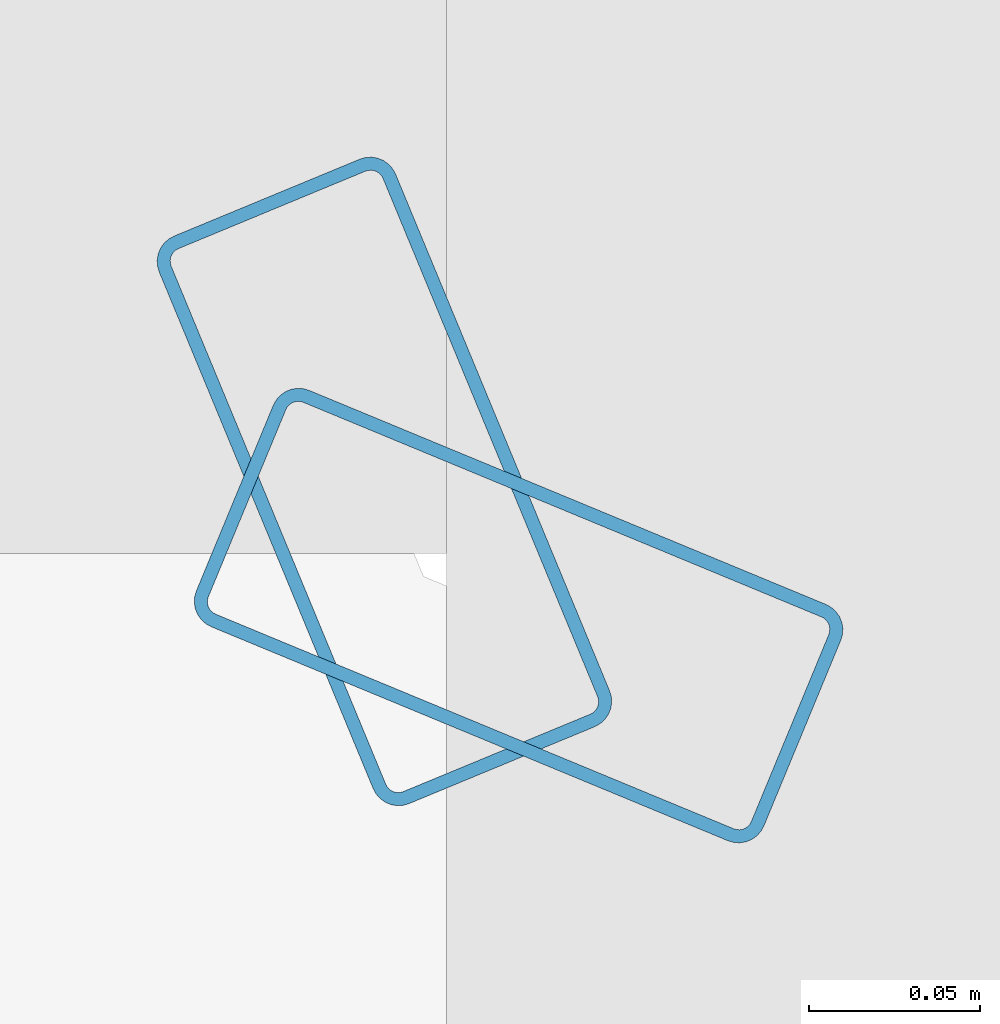
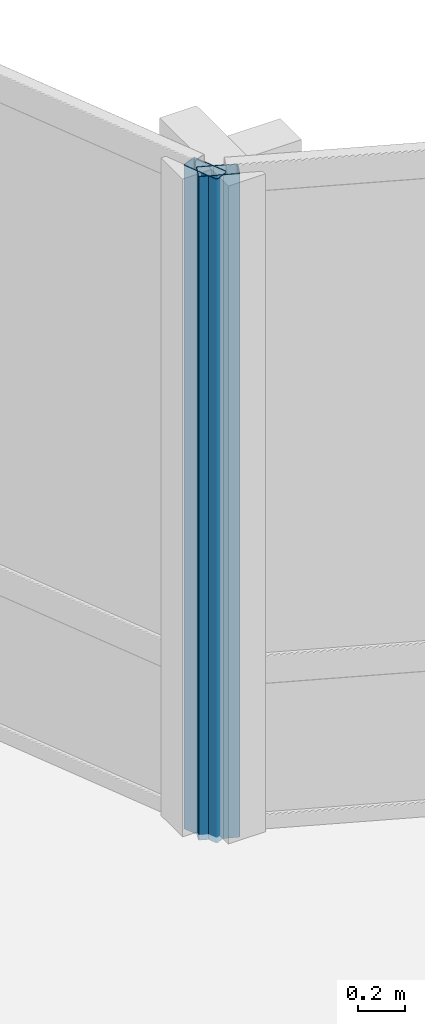
# One storey, part 8 of 27: 2 members, 2 elements without a shape of their own.
"""IFC4 building model written with IfcOpenShell, lengths in metres."""

from ifc_helpers import new_model, si_unit, direction, frame, origin, origin_2d, place, context, subcontext, project, spatial, hollow_rectangle, extrude, material, layer, layer_set, material_profile, profile_set, type_object, element, aggregate, save


model = new_model("IFC4")

# Units and contexts
model_context = context("Model", 3, precision=1e-05, world=origin(), true_north=direction((0.0, 1.0)))
body_context = subcontext(model_context, "Body", "Model", "MODEL_VIEW")
ifc_project = project(units=[si_unit("LENGTHUNIT", "METRE"), si_unit("AREAUNIT", "SQUARE_METRE"), si_unit("VOLUMEUNIT", "CUBIC_METRE"), si_unit("PLANEANGLEUNIT", "RADIAN"), si_unit("MASSUNIT", "GRAM", prefix="KILO")], contexts=[model_context])

# Site, building, storey
site_placement = place(None, origin())
site = spatial("IfcSite", under=ifc_project, at=site_placement, CompositionType="ELEMENT")
building_placement = place(site_placement, origin())
building = spatial("IfcBuilding", under=site, at=building_placement, Name="Solvaryn Broadcast Tower", CompositionType="ELEMENT")
storey_placement = place(building_placement, frame((0.0, 0.0, 177.89990234375)))
storey = spatial("IfcBuildingStorey", under=building, at=storey_placement, Name="L44", CompositionType="ELEMENT", Elevation=177.89990234375)

# Curtain wall, member
ifc_material_1 = material(Name="Aluminium and Terracotta Unitised Curtain Wall", Category="masonry")
ifc_layer = layer(ifc_material_1, 0.199951171875)
ifc_layer_set = layer_set([ifc_layer], Name="CW-SYS2-LOWMID")
curtain_wall_type = type_object("IfcCurtainWallType", Name="CW-SYS2-LOWMID", PredefinedType="NOTDEFINED", material=ifc_layer_set)
curtain_wall_1_placement = place(storey_placement, origin())
curtain_wall_1 = element("IfcCurtainWall", 1, at=curtain_wall_1_placement, inside=storey, type_object=curtain_wall_type, Name="L44 Curtain Wall CN1", PredefinedType="NOTDEFINED")
ifc_material_2 = material(Name="Anodised Aluminium 6063-T6", Category="aluminium")
ifc_material_profile = material_profile(ifc_material_2, hollow_rectangle(XDim=0.074951171875, YDim=0.179931640625, WallThickness=0.00390625, InnerFilletRadius=0.00390625, OuterFilletRadius=0.008056640625, at=origin_2d()))
ifc_profile_set = profile_set([ifc_material_profile], Name="Anodised Aluminium 6063-T6")
member_type = type_object("IfcMemberType", Name="CW-MUL-180", PredefinedType="MULLION", material=ifc_profile_set)
member_1_placement = place(storey_placement, frame((30.395751953125, 30.3564453125, 0.0), z_axis=(0.0, 0.0, 1.0), x_axis=(-0.382646127145, -0.923894983957, 0.0)))
member_1 = element("IfcMember", 2, at=member_1_placement, type_object=member_type, Name="CWS2 mullion 2", PredefinedType="MULLION", context=body_context, shape_type="SweptSolid", body=[
    extrude(hollow_rectangle(XDim=0.074951171875, YDim=0.179931640625, WallThickness=0.00390625, InnerFilletRadius=0.00390625, OuterFilletRadius=0.008056640625, at=origin_2d()), origin(), (0.0, 0.0, 1.0), 3.420166015625),
])
aggregate(curtain_wall_1, [member_1])

curtain_wall_2_placement = place(storey_placement, origin())
curtain_wall_2 = element("IfcCurtainWall", 3, at=curtain_wall_2_placement, inside=storey, type_object=curtain_wall_type, Name="L44 Curtain Wall CN2", PredefinedType="NOTDEFINED")
member_2_placement = place(storey_placement, frame((30.3564453125, 30.395751953125, 0.0), z_axis=(0.0, 0.0, 1.0), x_axis=(-0.923894983957, -0.382646127145, 0.0)))
member_2 = element("IfcMember", 4, at=member_2_placement, type_object=member_type, Name="CWS2 mullion 1", PredefinedType="MULLION", context=body_context, shape_type="SweptSolid", body=[
    extrude(hollow_rectangle(XDim=0.074951171875, YDim=0.179931640625, WallThickness=0.00390625, InnerFilletRadius=0.00390625, OuterFilletRadius=0.008056640625, at=origin_2d()), origin(), (0.0, 0.0, 1.0), 3.420166015625),
])
aggregate(curtain_wall_2, [member_2])

save(model, "model.ifc")
